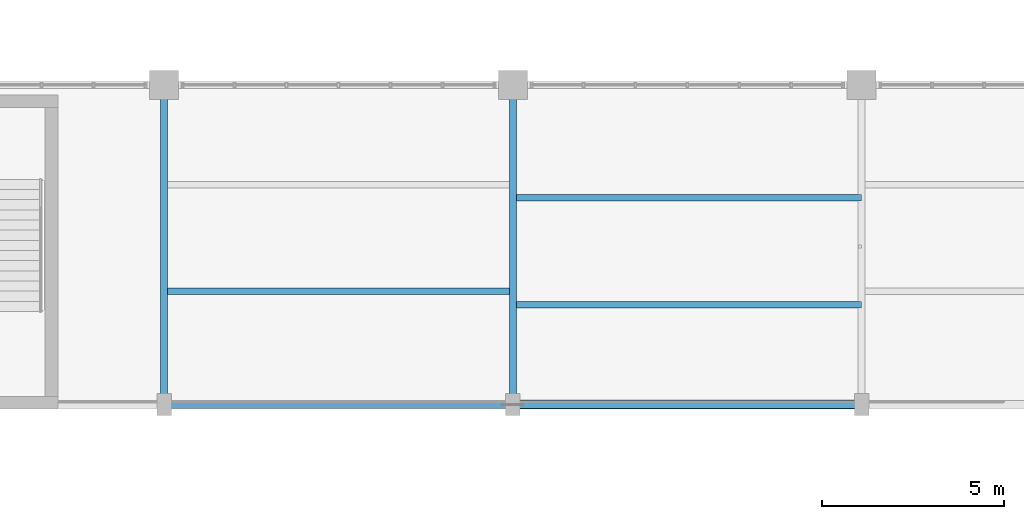
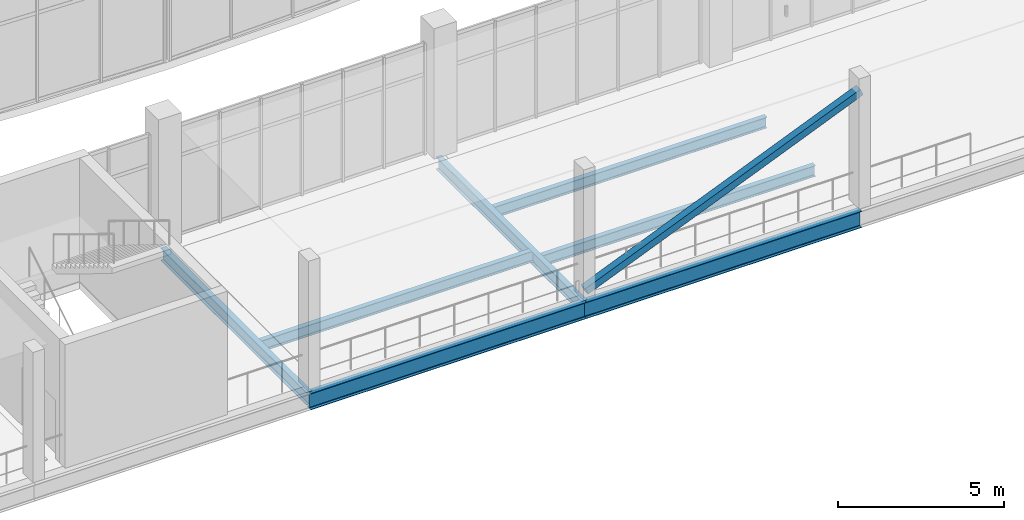
# One storey, part 59 of 157: 7 beams, 1 member.
"""IFC4 building model written with IfcOpenShell, lengths in metres."""

from ifc_helpers import new_model, si_unit, direction, frame, origin, origin_2d, place, context, subcontext, project, spatial, hollow_rectangle, i_section, extrude, material, material_profile, profile_set, type_object, element, save


model = new_model("IFC4")

# Units and contexts
model_context = context("Model", 3, precision=1e-05, world=origin(), true_north=direction((0.0, 1.0)))
body_context = subcontext(model_context, "Body", "Model", "MODEL_VIEW")
ifc_project = project(units=[si_unit("LENGTHUNIT", "METRE"), si_unit("AREAUNIT", "SQUARE_METRE"), si_unit("VOLUMEUNIT", "CUBIC_METRE"), si_unit("PLANEANGLEUNIT", "RADIAN"), si_unit("MASSUNIT", "GRAM", prefix="KILO")], contexts=[model_context])

# Site, building, storey
site_placement = place(None, origin())
site = spatial("IfcSite", under=ifc_project, at=site_placement, CompositionType="ELEMENT")
building_placement = place(site_placement, origin())
building = spatial("IfcBuilding", under=site, at=building_placement, Name="Chalmorin Arch Market", CompositionType="ELEMENT")
storey_placement = place(building_placement, frame((0.0, 0.0, 4.800048828125)))
storey = spatial("IfcBuildingStorey", under=building, at=storey_placement, Name="L01", CompositionType="ELEMENT", Elevation=4.800048828125)

# Beams
ifc_material_1 = material(Name="Steel A992 Grade 50", Category="steel")
ifc_material_profile_1 = material_profile(ifc_material_1, i_section(OverallWidth=0.193115234375, OverallDepth=0.466064453125, WebThickness=0.011474609375, FlangeThickness=0.01904296875, FilletRadius=0.02001953125, at=origin_2d()), Name="W18X65")
ifc_profile_set_1 = profile_set([ifc_material_profile_1], Name="Steel A992 Grade 50")
beam_type_1 = type_object("IfcBeamType", Name="FloorSteelBeam-W18X65", PredefinedType="BEAM", material=ifc_profile_set_1)
for number, where, z_axis, x_axis, name in (
    (1, (76.800048828125, 50.0, -0.485107421875), (0.0, 1.0, 0.0), (-1.0, 0.0, 0.0), "BM-W18A-0648"),
    (2, (86.39990234375, 50.0, -0.485107421875), (0.0, 1.0, 0.0), (-1.0, 0.0, 0.0), "BM-W18A-0651"),
):
    element("IfcBeam", number, at=place(storey_placement, frame(where, z_axis=z_axis, x_axis=x_axis)), inside=storey, type_object=beam_type_1, Name=name, PredefinedType="BEAM", context=body_context, shape_type="SweptSolid", body=[
        extrude(i_section(OverallWidth=0.193115234375, OverallDepth=0.466064453125, WebThickness=0.011474609375, FlangeThickness=0.01904296875, FilletRadius=0.02001953125, at=origin_2d()), origin(), (0.0, 0.0, 1.0), 8.800048828125),
    ])

# Member
ifc_material_2 = material(Name="Steel A500 Grade C", Category="steel")
ifc_material_profile_2 = material_profile(ifc_material_2, hollow_rectangle(XDim=0.25390625, YDim=0.25390625, WallThickness=0.01171875, at=origin_2d()), Name="HSS10X10X1/2")
ifc_profile_set_2 = profile_set([ifc_material_profile_2], Name="Steel A500 Grade C")
member_type = type_object("IfcMemberType", Name="LateralTubeBrace-HSS10X10", PredefinedType="BRACE", material=ifc_profile_set_2)
member_placement = place(storey_placement, frame((86.39990234375, 50.0, 0.14990234375), z_axis=(0.923078312116, 0.0, 0.384612050905), x_axis=(0.0, 1.0, 0.0)))
element("IfcMember", 3, at=member_placement, inside=storey, type_object=member_type, Name="BR-HS10-0338", ObjectType="Diagonal brace", PredefinedType="BRACE", context=body_context, shape_type="SweptSolid", body=[
    extrude(hollow_rectangle(XDim=0.25390625, YDim=0.25390625, WallThickness=0.01171875, at=origin_2d()), origin(), (0.0, 0.0, 1.0), 10.400146484375),
])

# Beams
ifc_material_profile_3 = material_profile(ifc_material_1, i_section(OverallWidth=0.22802734375, OverallDepth=0.60791015625, WebThickness=0.01123046875, FlangeThickness=0.017333984375, FilletRadius=0.02392578125, at=origin_2d()), Name="W24X76")
ifc_profile_set_3 = profile_set([ifc_material_profile_3], Name="Steel A992 Grade 50")
beam_type_2 = type_object("IfcBeamType", Name="PrimarySteelGirder-W24X76", PredefinedType="BEAM", material=ifc_profile_set_3)
beam_1_placement = place(storey_placement, frame((76.800048828125, 50.0, -0.55615234375), z_axis=(1.0, 0.0, 0.0), x_axis=(0.0, 1.0, 0.0)))
element("IfcBeam", 4, at=beam_1_placement, inside=storey, type_object=beam_type_2, Name="BG-W24B-0649", PredefinedType="BEAM", context=body_context, shape_type="SweptSolid", body=[
    extrude(i_section(OverallWidth=0.22802734375, OverallDepth=0.60791015625, WebThickness=0.01123046875, FlangeThickness=0.017333984375, FilletRadius=0.02392578125, at=origin_2d()), origin(), (0.0, 0.0, 1.0), 9.599853515625),
])
beam_2_placement = place(storey_placement, frame((86.39990234375, 50.0, -0.55615234375), z_axis=(1.0, 0.0, 0.0), x_axis=(0.0, 1.0, 0.0)))
element("IfcBeam", 5, at=beam_2_placement, inside=storey, type_object=beam_type_2, Name="BG-W24B-0652", PredefinedType="BEAM", context=body_context, shape_type="SweptSolid", body=[
    extrude(i_section(OverallWidth=0.22802734375, OverallDepth=0.60791015625, WebThickness=0.01123046875, FlangeThickness=0.017333984375, FilletRadius=0.02392578125, at=origin_2d()), origin(), (0.0, 0.0, 1.0), 9.60009765625),
])
ifc_material_profile_4 = material_profile(ifc_material_1, i_section(OverallWidth=0.177978515625, OverallDepth=0.403076171875, WebThickness=0.007568359375, FlangeThickness=0.010986328125, FilletRadius=0.01806640625, at=origin_2d()), Name="W16X36")
ifc_profile_set_4 = profile_set([ifc_material_profile_4], Name="Steel A992 Grade 50")
beam_type_3 = type_object("IfcBeamType", Name="SecondaryFloorJoist-W16X36", PredefinedType="JOIST", material=ifc_profile_set_4)
beam_3_placement = place(storey_placement, frame((76.800048828125, 53.11328125, -0.45361328125), z_axis=(1.0, 0.0, 0.0), x_axis=(0.0, 1.0, 0.0)))
element("IfcBeam", 6, at=beam_3_placement, inside=storey, type_object=beam_type_3, Name="BJ-W16B-0668", PredefinedType="JOIST", context=body_context, shape_type="SweptSolid", body=[
    extrude(i_section(OverallWidth=0.177978515625, OverallDepth=0.403076171875, WebThickness=0.007568359375, FlangeThickness=0.010986328125, FilletRadius=0.01806640625, at=origin_2d()), origin(), (0.0, 0.0, 1.0), 9.599853515625),
])
for number, where, z_axis, x_axis, name in (
    (7, (86.39990234375, 52.75341796875, -0.45361328125), (1.0, 0.0, 0.0), (0.0, 1.0, 0.0), "BJ-W16B-0670"),
    (8, (86.39990234375, 55.686767578125, -0.45361328125), (1.0, 0.0, 0.0), (0.0, 1.0, 0.0), "BJ-W16B-0671"),
):
    element("IfcBeam", number, at=place(storey_placement, frame(where, z_axis=z_axis, x_axis=x_axis)), inside=storey, type_object=beam_type_3, Name=name, PredefinedType="JOIST", context=body_context, shape_type="SweptSolid", body=[
        extrude(i_section(OverallWidth=0.177978515625, OverallDepth=0.403076171875, WebThickness=0.007568359375, FlangeThickness=0.010986328125, FilletRadius=0.01806640625, at=origin_2d()), origin(), (0.0, 0.0, 1.0), 9.60009765625),
    ])

save(model, "model.ifc")
